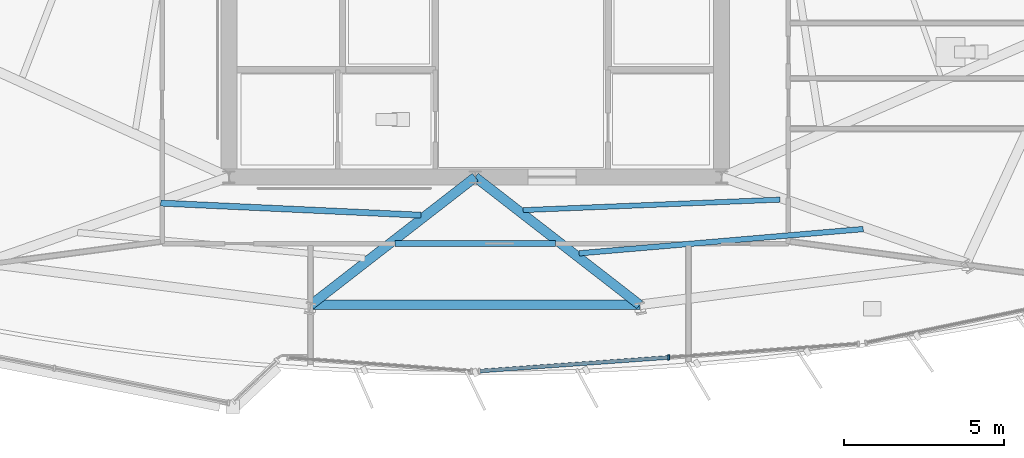
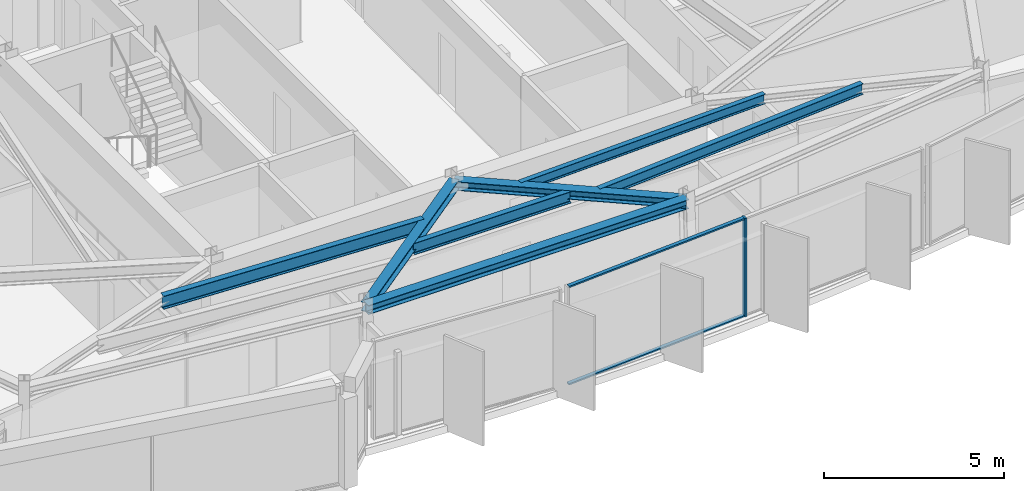
# One storey, part 3 of 13: 7 beams, 3 members, 1 element without a shape of its own.
"""IFC4 building model written with IfcOpenShell, lengths in metres."""

import ifcopenshell
import ifcopenshell.guid

model = None  # the IFC model being written
_history = None  # IfcOwnerHistory: only IFC2X3 demands one
_inside = {}  # id of a spatial element -> (the spatial element, [elements in it])
_under = {}  # id of a project, library or spatial element -> (it, [spatial elements below it])
_declared = {}  # id of a project -> (the project, [libraries it declares])
_typed = {}  # id of a type object -> (the type object, [elements of that type])
_made_of = {}  # id of a material, layer set ... -> (it, [elements and type objects made of it])


def new_model(schema):
    """Start an empty IFC model of exactly this schema.

    Asked for "IFC4X3", IfcOpenShell would pick the latest addendum, in which some entities
    have other attributes; the version numbers below select the first issue.
    IFC2X3 requires an IfcOwnerHistory on every rooted entity: one is made here for all.
    """
    global model, _history
    if schema == "IFC4X3":
        model = ifcopenshell.file(schema_version=(4, 3, 0, 0))
    else:
        model = ifcopenshell.file(schema=schema)
    _inside.clear()
    _under.clear()
    _declared.clear()
    _typed.clear()
    _made_of.clear()
    _history = None
    if model.schema == "IFC2X3":
        org = make("IfcOrganization", Name="unknown")
        user = make(
            "IfcPersonAndOrganization",
            ThePerson=make("IfcPerson", FamilyName="unknown"),
            TheOrganization=org,
        )
        app = make(
            "IfcApplication",
            ApplicationDeveloper=org,
            Version="unknown",
            ApplicationFullName="unknown",
            ApplicationIdentifier="unknown",
        )
        _history = make(
            "IfcOwnerHistory",
            OwningUser=user,
            OwningApplication=app,
            ChangeAction="ADDED",
            CreationDate=0,
        )
    return model


def make(cls, **values):
    """One entity of the class cls with the attributes given. An attribute that is None is left unset."""
    return model.create_entity(
        cls, **{name: value for name, value in values.items() if value is not None}
    )


def rooted(cls, **values):
    """An entity with a GlobalId (a new one), such as an element, a storey or a relation."""
    return make(cls, GlobalId=ifcopenshell.guid.new(), OwnerHistory=_history, **values)


def si_unit(unit_type, name, prefix=None):
    """IfcSIUnit, for example si_unit("LENGTHUNIT", "METRE", prefix="MILLI")."""
    return make("IfcSIUnit", UnitType=unit_type, Prefix=prefix, Name=name)


def assignment(units):
    """IfcUnitAssignment: the units of a project."""
    return None if units is None else make("IfcUnitAssignment", Units=units)


def point(xyz):
    """IfcCartesianPoint."""
    return None if xyz is None else make("IfcCartesianPoint", Coordinates=xyz)


def direction(xyz):
    """IfcDirection."""
    return None if xyz is None else make("IfcDirection", DirectionRatios=xyz)


def frame(location, z_axis=None, x_axis=None):
    """IfcAxis2Placement3D, a coordinate frame: its origin and axes. An axis left out is left unset."""
    return make(
        "IfcAxis2Placement3D",
        Location=point(location),
        Axis=direction(z_axis),
        RefDirection=direction(x_axis),
    )


def frame_2d(location, x_axis=None):
    """IfcAxis2Placement2D, a coordinate frame in the plane: its origin and x axis."""
    return make(
        "IfcAxis2Placement2D", Location=point(location), RefDirection=direction(x_axis)
    )


def origin():
    """The frame at (0, 0, 0) with its axes left unset."""
    return frame((0.0, 0.0, 0.0))


def origin_2d():
    """The frame at (0, 0) in the plane with its x axis left unset."""
    return frame_2d((0.0, 0.0))


def place(relative_to, where):
    """IfcLocalPlacement: puts the frame where relative to a parent placement (None: the world)."""
    return make(
        "IfcLocalPlacement", PlacementRelTo=relative_to, RelativePlacement=where
    )


def context(
    kind, dimensions, precision=None, world=None, true_north=None, identifier=None
):
    """IfcGeometricRepresentationContext, for example the 3D "Model" context."""
    return make(
        "IfcGeometricRepresentationContext",
        ContextIdentifier=identifier,
        ContextType=kind,
        CoordinateSpaceDimension=dimensions,
        Precision=precision,
        WorldCoordinateSystem=world,
        TrueNorth=true_north,
    )


def subcontext(parent, identifier, kind, view, scale=None):
    """IfcGeometricRepresentationSubContext, for example "Body" below "Model"."""
    return make(
        "IfcGeometricRepresentationSubContext",
        ContextIdentifier=identifier,
        ContextType=kind,
        ParentContext=parent,
        TargetScale=scale,
        TargetView=view,
    )


def project(units=None, contexts=None):
    """IfcProject with its units and contexts."""
    return rooted(
        "IfcProject",
        Name="project",
        RepresentationContexts=contexts,
        UnitsInContext=assignment(units),
    )


def spatial(cls, under=None, at=None, **own):
    """A site, building, storey or space (cls), placed at a placement, below another one or the project."""
    s = rooted(cls, ObjectPlacement=at, **own)
    if under is not None:
        _under.setdefault(under.id(), (under, []))[1].append(s)
    return s


def profile(cls, at=None, kind="AREA", **sizes):
    """A parametric profile (cls). Its sizes go by their IFC names, for example OverallWidth=200.0."""
    return make(cls, ProfileType=kind, Position=at, **sizes)


def rectangle(**sizes):
    """IfcRectangleProfileDef."""
    return profile("IfcRectangleProfileDef", **sizes)


def i_section(**sizes):
    """IfcIShapeProfileDef."""
    return profile("IfcIShapeProfileDef", **sizes)


def extrude(swept, where, along, depth):
    """IfcExtrudedAreaSolid: the profile swept, set in the frame where, extruded along a direction by depth."""
    return make(
        "IfcExtrudedAreaSolid",
        SweptArea=swept,
        Position=where,
        ExtrudedDirection=direction(along),
        Depth=depth,
    )


def shape(context_of_items, identifier, shape_type, items):
    """IfcShapeRepresentation: the items that make up one representation, for example the "Body"."""
    return make(
        "IfcShapeRepresentation",
        ContextOfItems=context_of_items,
        RepresentationIdentifier=identifier,
        RepresentationType=shape_type,
        Items=items,
    )


def material(Name=None, Category=None):
    """IfcMaterial."""
    return make("IfcMaterial", Name=Name, Category=Category)


def material_profile(
    of_material, cross_section, Name=None, Category=None, Priority=None
):
    """IfcMaterialProfile: a cross section and its material."""
    return make(
        "IfcMaterialProfile",
        Name=Name,
        Material=of_material,
        Profile=cross_section,
        Priority=Priority,
        Category=Category,
    )


def profile_set(profiles, Name=None, composite=None):
    """IfcMaterialProfileSet."""
    return make(
        "IfcMaterialProfileSet",
        Name=Name,
        MaterialProfiles=profiles,
        CompositeProfile=composite,
    )


def made_of(thing, what):
    """Note that an element or type object is made of a material, layer set ...; save() writes the relation."""
    if what is not None:
        _made_of.setdefault(what.id(), (what, []))[1].append(thing)
    return thing


def type_object(cls, material=None, **own):
    """A type object (cls), such as IfcWallType, which elements share."""
    return made_of(rooted(cls, **own), material)


def element(
    cls,
    number,
    at=None,
    inside=None,
    cuts=None,
    type_object=None,
    material=None,
    context=None,
    identifier="Body",
    shape_type=None,
    held_by="IfcProductDefinitionShape",
    body=None,
    shapes=None,
    **own,
):
    """One element of the class cls, such as IfcWall. Its Tag is "e" and its number.

    at: its placement. inside: the storey or other place that contains it. cuts: it is an
    opening in that element (IfcRelVoidsElement). A single representation is given by context,
    identifier, shape_type and body (its items); several are given by shapes. held_by: the class
    of the entity that holds the representations. save() writes the other relations.
    """
    e = rooted(cls, Tag="e%d" % number, ObjectPlacement=at, **own)
    if body is not None:
        shapes = [shape(context, identifier, shape_type, body)]
    if shapes is not None:
        e.Representation = make(held_by, Representations=shapes)
    if inside is not None:
        _inside.setdefault(inside.id(), (inside, []))[1].append(e)
    if cuts is not None:
        rooted(
            "IfcRelVoidsElement", RelatingBuildingElement=cuts, RelatedOpeningElement=e
        )
    if type_object is not None:
        _typed.setdefault(type_object.id(), (type_object, []))[1].append(e)
    return made_of(e, material)


def aggregate(whole, parts):
    """IfcRelAggregates: a whole, such as a stair, and the parts it consists of."""
    return rooted("IfcRelAggregates", RelatingObject=whole, RelatedObjects=parts)


def save(model, path):
    """Write the relations noted so far, then the file.

    IfcRelAggregates (storeys below a building ...), IfcRelContainedInSpatialStructure (elements
    in a storey), IfcRelDefinesByType, IfcRelAssociatesMaterial and IfcRelDeclares: one each for
    every whole, place, type object, material and project.
    """
    for whole, parts in _under.values():
        aggregate(whole, parts)
    for where, things in _inside.values():
        rooted(
            "IfcRelContainedInSpatialStructure",
            RelatedElements=things,
            RelatingStructure=where,
        )
    for kind, things in _typed.values():
        rooted("IfcRelDefinesByType", RelatedObjects=things, RelatingType=kind)
    for what, things in _made_of.values():
        rooted("IfcRelAssociatesMaterial", RelatedObjects=things, RelatingMaterial=what)
    for by, libraries in _declared.values():
        rooted("IfcRelDeclares", RelatingContext=by, RelatedDefinitions=libraries)
    model.write(path)


model = new_model("IFC4")

# Units and contexts
model_context = context("Model", 3, precision=1e-05, world=origin(), true_north=direction((0.0, 1.0)))
body_context = subcontext(model_context, "Body", "Model", "MODEL_VIEW")
ifc_project = project(units=[si_unit("LENGTHUNIT", "METRE"), si_unit("AREAUNIT", "SQUARE_METRE"), si_unit("VOLUMEUNIT", "CUBIC_METRE"), si_unit("PLANEANGLEUNIT", "RADIAN"), si_unit("MASSUNIT", "GRAM", prefix="KILO")], contexts=[model_context])

# Site, building, storey
site_placement = place(None, origin())
site = spatial("IfcSite", under=ifc_project, at=site_placement, CompositionType="ELEMENT")
building_placement = place(site_placement, origin())
building = spatial("IfcBuilding", under=site, at=building_placement, Name="Savorim Split Tower", CompositionType="ELEMENT")
storey_placement = place(building_placement, frame((0.0, 0.0, 276.0)))
storey = spatial("IfcBuildingStorey", under=building, at=storey_placement, Name="L73", CompositionType="ELEMENT", Elevation=276.0)

# Beams
ifc_material_1 = material(Name="Steel S355", Category="steel")
ifc_material_profile_1 = material_profile(ifc_material_1, i_section(OverallWidth=0.159912109375, OverallDepth=0.330078125, WebThickness=0.007568359375, FlangeThickness=0.011474609375, FilletRadius=0.01806640625, at=origin_2d()), Name="IPE 330")
ifc_profile_set_1 = profile_set([ifc_material_profile_1], Name="Steel S355")
beam_type_1 = type_object("IfcBeamType", Name="BM-JST-IPE330", PredefinedType="JOIST", material=ifc_profile_set_1)
beam_1_placement = place(storey_placement, frame((1.49609375, -10.431396484375, 3.18505859375), z_axis=(0.999169644122, 0.040743370819, 0.0), x_axis=(-0.040743370819, 0.999169644122, 0.0)))
element("IfcBeam", 1, at=beam_1_placement, inside=storey, type_object=beam_type_1, Name="L73 Secondary Floor Joist JS-05", PredefinedType="JOIST", context=body_context, shape_type="SweptSolid", body=[
    extrude(i_section(OverallWidth=0.159912109375, OverallDepth=0.330078125, WebThickness=0.007568359375, FlangeThickness=0.011474609375, FilletRadius=0.01806640625, at=origin_2d()), origin(), (0.0, 0.0, 1.0), 8.035400390625),
])
ifc_material_profile_2 = material_profile(ifc_material_1, i_section(OverallWidth=0.169921875, OverallDepth=0.360107421875, WebThickness=0.008056640625, FlangeThickness=0.0126953125, FilletRadius=0.01806640625, at=origin_2d()), Name="IPE 360")
ifc_profile_set_2 = profile_set([ifc_material_profile_2], Name="Steel S355")
beam_type_2 = type_object("IfcBeamType", Name="BM-JST-IPE360", PredefinedType="JOIST", material=ifc_profile_set_2)
beam_2_placement = place(storey_placement, frame((3.242919921875, -11.781494140625, 3.169921875), z_axis=(0.996371852345, 0.085106591133, 0.0), x_axis=(-0.085106591133, 0.996371852345, 0.0)))
element("IfcBeam", 2, at=beam_2_placement, inside=storey, type_object=beam_type_2, Name="L73 Secondary Floor Joist JS-04", PredefinedType="JOIST", context=body_context, shape_type="SweptSolid", body=[
    extrude(i_section(OverallWidth=0.169921875, OverallDepth=0.360107421875, WebThickness=0.008056640625, FlangeThickness=0.0126953125, FilletRadius=0.01806640625, at=origin_2d()), origin(), (0.0, 0.0, 1.0), 8.909912109375),
])
ifc_material_profile_3 = material_profile(ifc_material_1, i_section(OverallWidth=0.179931640625, OverallDepth=0.39990234375, WebThickness=0.008544921875, FlangeThickness=0.013427734375, FilletRadius=0.02099609375, at=origin_2d()), Name="IPE 400")
ifc_profile_set_3 = profile_set([ifc_material_profile_3], Name="Steel S355")
beam_type_3 = type_object("IfcBeamType", Name="BM-JST-IPE400", PredefinedType="JOIST", material=ifc_profile_set_3)
beam_3_placement = place(storey_placement, frame((-2.51220703125, -11.4755859375, 3.14990234375), z_axis=(1.0, 0.0, 0.0), x_axis=(0.0, 1.0, 0.0)))
element("IfcBeam", 3, at=beam_3_placement, inside=storey, type_object=beam_type_3, Name="L73 Secondary Floor Joist JS-03", PredefinedType="JOIST", context=body_context, shape_type="SweptSolid", body=[
    extrude(i_section(OverallWidth=0.179931640625, OverallDepth=0.39990234375, WebThickness=0.008544921875, FlangeThickness=0.013427734375, FilletRadius=0.02099609375, at=origin_2d()), origin(), (0.0, 0.0, 1.0), 5.0244140625),
])
ifc_material_profile_4 = material_profile(ifc_material_1, i_section(OverallWidth=0.18994140625, OverallDepth=0.449951171875, WebThickness=0.009521484375, FlangeThickness=0.0146484375, FilletRadius=0.02099609375, at=origin_2d()), Name="IPE 450")
ifc_profile_set_4 = profile_set([ifc_material_profile_4], Name="Steel S355")
beam_type_4 = type_object("IfcBeamType", Name="BM-JST-IPE450", PredefinedType="JOIST", material=ifc_profile_set_4)
beam_4_placement = place(storey_placement, frame((-9.830078125, -10.212158203125, 3.125), z_axis=(0.998920927852, -0.046443297682, 0.0), x_axis=(0.046443297682, 0.998920927852, 0.0)))
element("IfcBeam", 4, at=beam_4_placement, inside=storey, type_object=beam_type_4, Name="L73 Secondary Floor Joist JS-02", PredefinedType="JOIST", context=body_context, shape_type="SweptSolid", body=[
    extrude(i_section(OverallWidth=0.18994140625, OverallDepth=0.449951171875, WebThickness=0.009521484375, FlangeThickness=0.0146484375, FilletRadius=0.02099609375, at=origin_2d()), origin(), (0.0, 0.0, 1.0), 8.137451171875),
])
ifc_material_profile_5 = material_profile(ifc_material_1, i_section(OverallWidth=0.300048828125, OverallDepth=0.300048828125, WebThickness=0.010986328125, FlangeThickness=0.01904296875, FilletRadius=0.027099609375, at=origin_2d()), Name="HEB 300")
ifc_profile_set_5 = profile_set([ifc_material_profile_5], Name="Steel S355")
beam_type_5 = type_object("IfcBeamType", Name="BM-PRI-HEB300", PredefinedType="BEAM", material=ifc_profile_set_5)
for number, where, z_axis, x_axis, name in (
    (5, (-5.138916015625, -13.3916015625, 3.199951171875), (0.789741969418, 0.613439175257, 0.0), (-0.613439175257, 0.789741969418, 0.0), "L73 Primary Floor Girder RG-02"),
    (6, (5.138916015625, -13.3916015625, 3.199951171875), (-0.789741969418, 0.613439175257, 0.0), (-0.613439175257, -0.789741969418, 0.0), "L73 Primary Floor Girder RG-03"),
):
    element("IfcBeam", number, at=place(storey_placement, frame(where, z_axis=z_axis, x_axis=x_axis)), inside=storey, type_object=beam_type_5, Name=name, PredefinedType="BEAM", context=body_context, shape_type="SweptSolid", body=[
        extrude(i_section(OverallWidth=0.300048828125, OverallDepth=0.300048828125, WebThickness=0.010986328125, FlangeThickness=0.01904296875, FilletRadius=0.027099609375, at=origin_2d()), origin(), (0.0, 0.0, 1.0), 6.507080078125),
    ])
ifc_material_profile_6 = material_profile(ifc_material_1, i_section(OverallWidth=0.300048828125, OverallDepth=0.31005859375, WebThickness=0.009033203125, FlangeThickness=0.015380859375, FilletRadius=0.027099609375, at=origin_2d()), Name="HEA 320")
ifc_profile_set_6 = profile_set([ifc_material_profile_6], Name="Steel S355")
beam_type_6 = type_object("IfcBeamType", Name="BM-SPN-HEA320", PredefinedType="SPANDREL", material=ifc_profile_set_6)
beam_5_placement = place(storey_placement, frame((-5.138916015625, -13.3916015625, 3.195068359375), z_axis=(1.0, 0.0, 0.0), x_axis=(0.0, 1.0, 0.0)))
element("IfcBeam", 7, at=beam_5_placement, inside=storey, type_object=beam_type_6, Name="L73 Perimeter Spandrel Beam 2", PredefinedType="SPANDREL", context=body_context, shape_type="SweptSolid", body=[
    extrude(i_section(OverallWidth=0.300048828125, OverallDepth=0.31005859375, WebThickness=0.009033203125, FlangeThickness=0.015380859375, FilletRadius=0.027099609375, at=origin_2d()), origin(), (0.0, 0.0, 1.0), 10.27783203125),
])

# Curtain wall, members
ifc_material_2 = material(Name="Dark Ceramic-Fritted Insulated Glass", Category="glass")
curtain_wall_type = type_object("IfcCurtainWallType", Name="CW-TWR-FRIT-B", PredefinedType="NOTDEFINED", material=ifc_material_2)
curtain_wall_placement = place(storey_placement, origin())
curtain_wall = element("IfcCurtainWall", 8, at=curtain_wall_placement, inside=storey, type_object=curtain_wall_type, Name="L73 Curtain Wall CW-L73-SF3A", PredefinedType="NOTDEFINED")
ifc_material_3 = material(Name="Charcoal Anodised Aluminium", Category="aluminium")
ifc_material_profile_7 = material_profile(ifc_material_3, rectangle(XDim=0.159912109375, YDim=0.06005859375, at=origin_2d()), Name="ALU-M 160x60")
ifc_profile_set_7 = profile_set([ifc_material_profile_7], Name="Charcoal Anodised Aluminium")
member_type_1 = type_object("IfcMemberType", Name="CWM-160x60", PredefinedType="MULLION", material=ifc_profile_set_7)
member_1_placement = place(storey_placement, frame((6.044189453125, -15.03515625, 0.0), z_axis=(0.0, 0.0, 1.0), x_axis=(-0.071560201608, 0.997436282449, 0.0)))
member_1 = element("IfcMember", 9, at=member_1_placement, type_object=member_type_1, Name="CW-03 mullion 2", PredefinedType="MULLION", context=body_context, shape_type="SweptSolid", body=[
    extrude(rectangle(XDim=0.159912109375, YDim=0.06005859375, at=origin_2d()), origin(), (0.0, 0.0, 1.0), 3.35009765625),
])
ifc_material_profile_8 = material_profile(ifc_material_3, rectangle(XDim=0.1201171875, YDim=0.050048828125, at=origin_2d()), Name="ALU-T 120x50")
ifc_profile_set_8 = profile_set([ifc_material_profile_8], Name="Charcoal Anodised Aluminium")
member_type_2 = type_object("IfcMemberType", Name="CWT-120x50", PredefinedType="USERDEFINED", material=ifc_profile_set_8)
member_2_placement = place(storey_placement, frame((0.151123046875, -15.4580078125, 0.02490234375), z_axis=(0.997436303512, 0.071559908018, 0.0), x_axis=(-0.071559908018, 0.997436303512, 0.0)))
member_2 = element("IfcMember", 10, at=member_2_placement, type_object=member_type_2, Name="CW-03 transom 1.1", ObjectType="TRANSOM", PredefinedType="USERDEFINED", context=body_context, shape_type="SweptSolid", body=[
    extrude(rectangle(XDim=0.1201171875, YDim=0.050048828125, at=origin_2d()), origin(), (0.0, 0.0, 1.0), 5.87841796875),
])
member_3_placement = place(storey_placement, frame((0.151123046875, -15.4580078125, 3.324951171875), z_axis=(0.997436303512, 0.071559908018, 0.0), x_axis=(-0.071559908018, 0.997436303512, 0.0)))
member_3 = element("IfcMember", 11, at=member_3_placement, type_object=member_type_2, Name="CW-03 transom 1.2", ObjectType="TRANSOM", PredefinedType="USERDEFINED", context=body_context, shape_type="SweptSolid", body=[
    extrude(rectangle(XDim=0.1201171875, YDim=0.050048828125, at=origin_2d()), origin(), (0.0, 0.0, 1.0), 5.87841796875),
])
aggregate(curtain_wall, [member_1, member_2, member_3])

save(model, "model.ifc")
